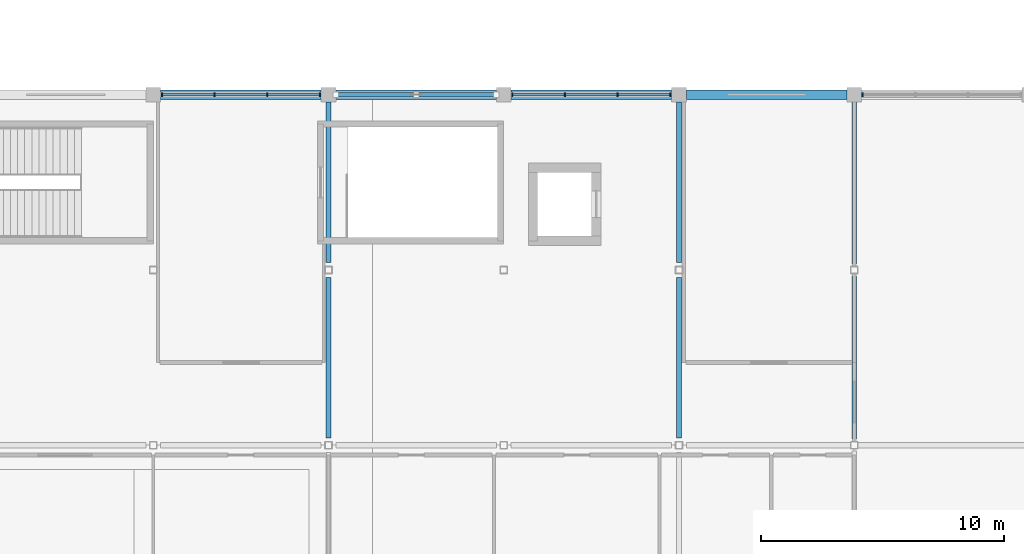
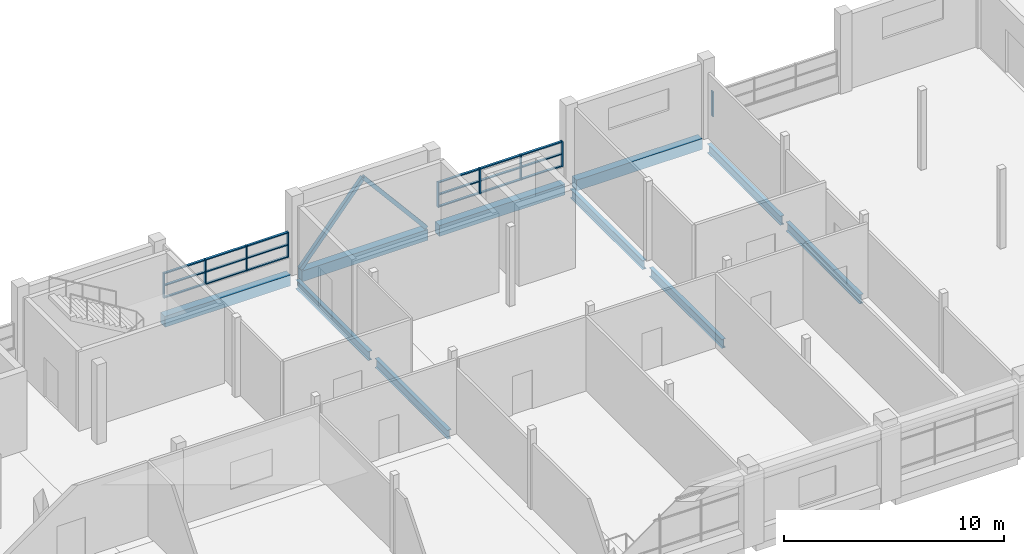
# One storey, part 20 of 71: 29 members, 10 beams, 3 elements without a shape of their own.
"""IFC4 building model written with IfcOpenShell, lengths in metres."""

import ifcopenshell
import ifcopenshell.guid

model = None  # the IFC model being written
_history = None  # IfcOwnerHistory: only IFC2X3 demands one
_inside = {}  # id of a spatial element -> (the spatial element, [elements in it])
_under = {}  # id of a project, library or spatial element -> (it, [spatial elements below it])
_declared = {}  # id of a project -> (the project, [libraries it declares])
_typed = {}  # id of a type object -> (the type object, [elements of that type])
_made_of = {}  # id of a material, layer set ... -> (it, [elements and type objects made of it])


def new_model(schema):
    """Start an empty IFC model of exactly this schema.

    Asked for "IFC4X3", IfcOpenShell would pick the latest addendum, in which some entities
    have other attributes; the version numbers below select the first issue.
    IFC2X3 requires an IfcOwnerHistory on every rooted entity: one is made here for all.
    """
    global model, _history
    if schema == "IFC4X3":
        model = ifcopenshell.file(schema_version=(4, 3, 0, 0))
    else:
        model = ifcopenshell.file(schema=schema)
    _inside.clear()
    _under.clear()
    _declared.clear()
    _typed.clear()
    _made_of.clear()
    _history = None
    if model.schema == "IFC2X3":
        org = make("IfcOrganization", Name="unknown")
        user = make(
            "IfcPersonAndOrganization",
            ThePerson=make("IfcPerson", FamilyName="unknown"),
            TheOrganization=org,
        )
        app = make(
            "IfcApplication",
            ApplicationDeveloper=org,
            Version="unknown",
            ApplicationFullName="unknown",
            ApplicationIdentifier="unknown",
        )
        _history = make(
            "IfcOwnerHistory",
            OwningUser=user,
            OwningApplication=app,
            ChangeAction="ADDED",
            CreationDate=0,
        )
    return model


def make(cls, **values):
    """One entity of the class cls with the attributes given. An attribute that is None is left unset."""
    return model.create_entity(
        cls, **{name: value for name, value in values.items() if value is not None}
    )


def rooted(cls, **values):
    """An entity with a GlobalId (a new one), such as an element, a storey or a relation."""
    return make(cls, GlobalId=ifcopenshell.guid.new(), OwnerHistory=_history, **values)


def si_unit(unit_type, name, prefix=None):
    """IfcSIUnit, for example si_unit("LENGTHUNIT", "METRE", prefix="MILLI")."""
    return make("IfcSIUnit", UnitType=unit_type, Prefix=prefix, Name=name)


def assignment(units):
    """IfcUnitAssignment: the units of a project."""
    return None if units is None else make("IfcUnitAssignment", Units=units)


def point(xyz):
    """IfcCartesianPoint."""
    return None if xyz is None else make("IfcCartesianPoint", Coordinates=xyz)


def direction(xyz):
    """IfcDirection."""
    return None if xyz is None else make("IfcDirection", DirectionRatios=xyz)


def frame(location, z_axis=None, x_axis=None):
    """IfcAxis2Placement3D, a coordinate frame: its origin and axes. An axis left out is left unset."""
    return make(
        "IfcAxis2Placement3D",
        Location=point(location),
        Axis=direction(z_axis),
        RefDirection=direction(x_axis),
    )


def frame_2d(location, x_axis=None):
    """IfcAxis2Placement2D, a coordinate frame in the plane: its origin and x axis."""
    return make(
        "IfcAxis2Placement2D", Location=point(location), RefDirection=direction(x_axis)
    )


def origin():
    """The frame at (0, 0, 0) with its axes left unset."""
    return frame((0.0, 0.0, 0.0))


def origin_2d():
    """The frame at (0, 0) in the plane with its x axis left unset."""
    return frame_2d((0.0, 0.0))


def place(relative_to, where):
    """IfcLocalPlacement: puts the frame where relative to a parent placement (None: the world)."""
    return make(
        "IfcLocalPlacement", PlacementRelTo=relative_to, RelativePlacement=where
    )


def context(
    kind, dimensions, precision=None, world=None, true_north=None, identifier=None
):
    """IfcGeometricRepresentationContext, for example the 3D "Model" context."""
    return make(
        "IfcGeometricRepresentationContext",
        ContextIdentifier=identifier,
        ContextType=kind,
        CoordinateSpaceDimension=dimensions,
        Precision=precision,
        WorldCoordinateSystem=world,
        TrueNorth=true_north,
    )


def subcontext(parent, identifier, kind, view, scale=None):
    """IfcGeometricRepresentationSubContext, for example "Body" below "Model"."""
    return make(
        "IfcGeometricRepresentationSubContext",
        ContextIdentifier=identifier,
        ContextType=kind,
        ParentContext=parent,
        TargetScale=scale,
        TargetView=view,
    )


def project(units=None, contexts=None):
    """IfcProject with its units and contexts."""
    return rooted(
        "IfcProject",
        Name="project",
        RepresentationContexts=contexts,
        UnitsInContext=assignment(units),
    )


def spatial(cls, under=None, at=None, **own):
    """A site, building, storey or space (cls), placed at a placement, below another one or the project."""
    s = rooted(cls, ObjectPlacement=at, **own)
    if under is not None:
        _under.setdefault(under.id(), (under, []))[1].append(s)
    return s


def profile(cls, at=None, kind="AREA", **sizes):
    """A parametric profile (cls). Its sizes go by their IFC names, for example OverallWidth=200.0."""
    return make(cls, ProfileType=kind, Position=at, **sizes)


def rectangle(**sizes):
    """IfcRectangleProfileDef."""
    return profile("IfcRectangleProfileDef", **sizes)


def hollow_rectangle(**sizes):
    """IfcRectangleHollowProfileDef."""
    return profile("IfcRectangleHollowProfileDef", **sizes)


def i_section(**sizes):
    """IfcIShapeProfileDef."""
    return profile("IfcIShapeProfileDef", **sizes)


def extrude(swept, where, along, depth):
    """IfcExtrudedAreaSolid: the profile swept, set in the frame where, extruded along a direction by depth."""
    return make(
        "IfcExtrudedAreaSolid",
        SweptArea=swept,
        Position=where,
        ExtrudedDirection=direction(along),
        Depth=depth,
    )


def shape(context_of_items, identifier, shape_type, items):
    """IfcShapeRepresentation: the items that make up one representation, for example the "Body"."""
    return make(
        "IfcShapeRepresentation",
        ContextOfItems=context_of_items,
        RepresentationIdentifier=identifier,
        RepresentationType=shape_type,
        Items=items,
    )


def material(Name=None, Category=None):
    """IfcMaterial."""
    return make("IfcMaterial", Name=Name, Category=Category)


def material_profile(
    of_material, cross_section, Name=None, Category=None, Priority=None
):
    """IfcMaterialProfile: a cross section and its material."""
    return make(
        "IfcMaterialProfile",
        Name=Name,
        Material=of_material,
        Profile=cross_section,
        Priority=Priority,
        Category=Category,
    )


def profile_set(profiles, Name=None, composite=None):
    """IfcMaterialProfileSet."""
    return make(
        "IfcMaterialProfileSet",
        Name=Name,
        MaterialProfiles=profiles,
        CompositeProfile=composite,
    )


def made_of(thing, what):
    """Note that an element or type object is made of a material, layer set ...; save() writes the relation."""
    if what is not None:
        _made_of.setdefault(what.id(), (what, []))[1].append(thing)
    return thing


def type_object(cls, material=None, **own):
    """A type object (cls), such as IfcWallType, which elements share."""
    return made_of(rooted(cls, **own), material)


def element(
    cls,
    number,
    at=None,
    inside=None,
    cuts=None,
    type_object=None,
    material=None,
    context=None,
    identifier="Body",
    shape_type=None,
    held_by="IfcProductDefinitionShape",
    body=None,
    shapes=None,
    **own,
):
    """One element of the class cls, such as IfcWall. Its Tag is "e" and its number.

    at: its placement. inside: the storey or other place that contains it. cuts: it is an
    opening in that element (IfcRelVoidsElement). A single representation is given by context,
    identifier, shape_type and body (its items); several are given by shapes. held_by: the class
    of the entity that holds the representations. save() writes the other relations.
    """
    e = rooted(cls, Tag="e%d" % number, ObjectPlacement=at, **own)
    if body is not None:
        shapes = [shape(context, identifier, shape_type, body)]
    if shapes is not None:
        e.Representation = make(held_by, Representations=shapes)
    if inside is not None:
        _inside.setdefault(inside.id(), (inside, []))[1].append(e)
    if cuts is not None:
        rooted(
            "IfcRelVoidsElement", RelatingBuildingElement=cuts, RelatedOpeningElement=e
        )
    if type_object is not None:
        _typed.setdefault(type_object.id(), (type_object, []))[1].append(e)
    return made_of(e, material)


def aggregate(whole, parts):
    """IfcRelAggregates: a whole, such as a stair, and the parts it consists of."""
    return rooted("IfcRelAggregates", RelatingObject=whole, RelatedObjects=parts)


def save(model, path):
    """Write the relations noted so far, then the file.

    IfcRelAggregates (storeys below a building ...), IfcRelContainedInSpatialStructure (elements
    in a storey), IfcRelDefinesByType, IfcRelAssociatesMaterial and IfcRelDeclares: one each for
    every whole, place, type object, material and project.
    """
    for whole, parts in _under.values():
        aggregate(whole, parts)
    for where, things in _inside.values():
        rooted(
            "IfcRelContainedInSpatialStructure",
            RelatedElements=things,
            RelatingStructure=where,
        )
    for kind, things in _typed.values():
        rooted("IfcRelDefinesByType", RelatedObjects=things, RelatingType=kind)
    for what, things in _made_of.values():
        rooted("IfcRelAssociatesMaterial", RelatedObjects=things, RelatingMaterial=what)
    for by, libraries in _declared.values():
        rooted("IfcRelDeclares", RelatingContext=by, RelatedDefinitions=libraries)
    model.write(path)


model = new_model("IFC4")

# Units and contexts
model_context = context("Model", 3, precision=1e-05, world=origin(), true_north=direction((0.0, 1.0)))
body_context = subcontext(model_context, "Body", "Model", "MODEL_VIEW")
ifc_project = project(units=[si_unit("LENGTHUNIT", "METRE"), si_unit("AREAUNIT", "SQUARE_METRE"), si_unit("VOLUMEUNIT", "CUBIC_METRE"), si_unit("PLANEANGLEUNIT", "RADIAN"), si_unit("MASSUNIT", "GRAM", prefix="KILO")], contexts=[model_context])

# Site, building, storey
site_placement = place(None, origin())
site = spatial("IfcSite", under=ifc_project, at=site_placement, CompositionType="ELEMENT")
building_placement = place(site_placement, origin())
building = spatial("IfcBuilding", under=site, at=building_placement, Name="Sardonyx Promenade Sports Hall", CompositionType="ELEMENT")
storey_placement = place(building_placement, frame((0.0, 0.0, 16.0)))
storey = spatial("IfcBuildingStorey", under=building, at=storey_placement, Name="L03", CompositionType="ELEMENT", Elevation=16.0)

# Beams
ifc_material_1 = material(Name="Steel S355JR", Category="steel")
ifc_material_profile_1 = material_profile(ifc_material_1, i_section(OverallWidth=0.199951171875, OverallDepth=0.5, WebThickness=0.01025390625, FlangeThickness=0.01611328125, at=origin_2d()))
ifc_profile_set_1 = profile_set([ifc_material_profile_1], Name="Steel S355JR")
beam_type_1 = type_object("IfcBeamType", Name="Bm_Primary_IPE500", PredefinedType="BEAM", material=ifc_profile_set_1)
for number, where, z_axis, x_axis, name in (
    (1, (72.0, 14.699951171875, -0.52001953125), (0.0, 1.0, 0.0), (-1.0, 0.0, 0.0), "Beam SB06 L03 #851"),
    (2, (72.0, 21.89990234375, -0.52001953125), (0.0, 1.0, 0.0), (-1.0, 0.0, 0.0), "Beam SB06 L03 #852"),
    (3, (86.39990234375, 14.699951171875, -0.52001953125), (0.0, 1.0, 0.0), (-1.0, 0.0, 0.0), "Beam SB06 L03 #859"),
    (4, (86.39990234375, 21.89990234375, -0.52001953125), (0.0, 1.0, 0.0), (-1.0, 0.0, 0.0), "Beam SB06 L03 #860"),
):
    element("IfcBeam", number, at=place(storey_placement, frame(where, z_axis=z_axis, x_axis=x_axis)), inside=storey, type_object=beam_type_1, Name=name, PredefinedType="BEAM", context=body_context, shape_type="SweptSolid", body=[
        extrude(i_section(OverallWidth=0.199951171875, OverallDepth=0.5, WebThickness=0.01025390625, FlangeThickness=0.01611328125, at=origin_2d()), origin(), (0.0, 0.0, 1.0), 6.60009765625),
    ])
beam_1_placement = place(storey_placement, frame((93.60009765625, 14.64501953125, -0.5400390625), z_axis=(0.0, 1.0, 0.0), x_axis=(-1.0, 0.0, 0.0)))
element("IfcBeam", 5, at=beam_1_placement, inside=storey, type_object=beam_type_1, Name="Beam SB06 L03 #863", PredefinedType="BEAM", context=body_context, shape_type="SweptSolid", body=[
    extrude(i_section(OverallWidth=0.199951171875, OverallDepth=0.5, WebThickness=0.01025390625, FlangeThickness=0.01611328125, at=origin_2d()), origin(), (0.0, 0.0, 1.0), 6.7099609375),
])
beam_2_placement = place(storey_placement, frame((93.60009765625, 21.844970703125, -0.5400390625), z_axis=(0.0, 1.0, 0.0), x_axis=(-1.0, 0.0, 0.0)))
element("IfcBeam", 6, at=beam_2_placement, inside=storey, type_object=beam_type_1, Name="Beam SB06 L03 #864", PredefinedType="BEAM", context=body_context, shape_type="SweptSolid", body=[
    extrude(i_section(OverallWidth=0.199951171875, OverallDepth=0.5, WebThickness=0.01025390625, FlangeThickness=0.01611328125, at=origin_2d()), origin(), (0.0, 0.0, 1.0), 6.655029296875),
])
ifc_material_2 = material(Name="Concrete C40/50", Category="concrete")
ifc_material_profile_2 = material_profile(ifc_material_2, rectangle(XDim=0.39990234375, YDim=0.60009765625, at=origin_2d()))
ifc_profile_set_2 = profile_set([ifc_material_profile_2], Name="Concrete C40/50")
beam_type_2 = type_object("IfcBeamType", Name="Bm_Spandrel_RC600", PredefinedType="SPANDREL", material=ifc_profile_set_2)
for number, where, z_axis, x_axis, name in (
    (7, (65.10009765625, 28.800048828125, -0.300048828125), (1.0, 0.0, 0.0), (0.0, 1.0, 0.0), "Beam SPB1 L03 #761"),
    (8, (72.300048828125, 28.800048828125, -0.300048828125), (1.0, 0.0, 0.0), (0.0, 1.0, 0.0), "Beam SPB1 L03 #762"),
):
    element("IfcBeam", number, at=place(storey_placement, frame(where, z_axis=z_axis, x_axis=x_axis)), inside=storey, type_object=beam_type_2, Name=name, PredefinedType="SPANDREL", context=body_context, shape_type="SweptSolid", body=[
        extrude(rectangle(XDim=0.39990234375, YDim=0.60009765625, at=origin_2d()), origin(), (0.0, 0.0, 1.0), 6.599853515625),
    ])
for number, where, z_axis, x_axis, name in (
    (9, (79.5, 28.800048828125, -0.300048828125), (1.0, 0.0, 0.0), (0.0, 1.0, 0.0), "Beam SPB1 L03 #763"),
    (10, (86.699951171875, 28.800048828125, -0.300048828125), (1.0, 0.0, 0.0), (0.0, 1.0, 0.0), "Beam SPB1 L03 #764"),
):
    element("IfcBeam", number, at=place(storey_placement, frame(where, z_axis=z_axis, x_axis=x_axis)), inside=storey, type_object=beam_type_2, Name=name, PredefinedType="SPANDREL", context=body_context, shape_type="SweptSolid", body=[
        extrude(rectangle(XDim=0.39990234375, YDim=0.60009765625, at=origin_2d()), origin(), (0.0, 0.0, 1.0), 6.60009765625),
    ])

# Curtain wall, members
ifc_material_3 = material(Name="Aluminium 6063-T6", Category="aluminium")
curtain_wall_type = type_object("IfcCurtainWallType", Name="CW_Spandrel_Band", PredefinedType="USERDEFINED", material=ifc_material_3)
curtain_wall_1_placement = place(storey_placement, origin())
curtain_wall_1 = element("IfcCurtainWall", 11, at=curtain_wall_1_placement, inside=storey, type_object=curtain_wall_type, Name="Curtain wall CW16 cw:L03:165", ObjectType="CURTAIN WALL", PredefinedType="USERDEFINED")
ifc_material_4 = material(Name="Aluminium 6063-T6", Category="aluminium")
ifc_material_profile_3 = material_profile(ifc_material_4, rectangle(XDim=0.06005859375, YDim=0.14990234375, at=origin_2d()))
ifc_profile_set_3 = profile_set([ifc_material_profile_3], Name="Aluminium 6063-T6")
member_type_1 = type_object("IfcMemberType", Name="CW_Mull_150", PredefinedType="MULLION", material=ifc_profile_set_3)
member_1_placement = place(storey_placement, frame((65.14990234375, 28.800048828125, 0.89990234375), z_axis=(0.0, 0.0, 1.0), x_axis=(1.0, 0.0, 0.0)))
member_1 = element("IfcMember", 12, at=member_1_placement, type_object=member_type_1, Name="Mullion CM01 cw:L03:165 #1", PredefinedType="MULLION", context=body_context, shape_type="SweptSolid", body=[
    extrude(rectangle(XDim=0.06005859375, YDim=0.14990234375, at=origin_2d()), origin(), (0.0, 0.0, 1.0), 1.400146484375),
])
member_2_placement = place(storey_placement, frame((67.316650390625, 28.800048828125, 0.89990234375), z_axis=(0.0, 0.0, 1.0), x_axis=(1.0, 0.0, 0.0)))
member_2 = element("IfcMember", 13, at=member_2_placement, type_object=member_type_1, Name="Mullion CM01 cw:L03:165 #2", PredefinedType="MULLION", context=body_context, shape_type="SweptSolid", body=[
    extrude(rectangle(XDim=0.06005859375, YDim=0.14990234375, at=origin_2d()), origin(), (0.0, 0.0, 1.0), 1.400146484375),
])
member_3_placement = place(storey_placement, frame((69.4833984375, 28.800048828125, 0.89990234375), z_axis=(0.0, 0.0, 1.0), x_axis=(1.0, 0.0, 0.0)))
member_3 = element("IfcMember", 14, at=member_3_placement, type_object=member_type_1, Name="Mullion CM01 cw:L03:165 #3", PredefinedType="MULLION", context=body_context, shape_type="SweptSolid", body=[
    extrude(rectangle(XDim=0.06005859375, YDim=0.14990234375, at=origin_2d()), origin(), (0.0, 0.0, 1.0), 1.400146484375),
])
member_4_placement = place(storey_placement, frame((71.64990234375, 28.800048828125, 0.89990234375), z_axis=(0.0, 0.0, 1.0), x_axis=(1.0, 0.0, 0.0)))
member_4 = element("IfcMember", 15, at=member_4_placement, type_object=member_type_1, Name="Mullion CM01 cw:L03:165 #4", PredefinedType="MULLION", context=body_context, shape_type="SweptSolid", body=[
    extrude(rectangle(XDim=0.06005859375, YDim=0.14990234375, at=origin_2d()), origin(), (0.0, 0.0, 1.0), 1.400146484375),
])

curtain_wall_2_placement = place(storey_placement, origin())
curtain_wall_2 = element("IfcCurtainWall", 16, at=curtain_wall_2_placement, inside=storey, type_object=curtain_wall_type, Name="Curtain wall CW16 cw:L03:166", ObjectType="CURTAIN WALL", PredefinedType="USERDEFINED")
member_5_placement = place(storey_placement, frame((79.550048828125, 28.800048828125, 0.89990234375), z_axis=(0.0, 0.0, 1.0), x_axis=(1.0, 0.0, 0.0)))
member_5 = element("IfcMember", 17, at=member_5_placement, type_object=member_type_1, Name="Mullion CM01 cw:L03:166 #1", PredefinedType="MULLION", context=body_context, shape_type="SweptSolid", body=[
    extrude(rectangle(XDim=0.06005859375, YDim=0.14990234375, at=origin_2d()), origin(), (0.0, 0.0, 1.0), 1.400146484375),
])
member_6_placement = place(storey_placement, frame((81.716552734375, 28.800048828125, 0.89990234375), z_axis=(0.0, 0.0, 1.0), x_axis=(1.0, 0.0, 0.0)))
member_6 = element("IfcMember", 18, at=member_6_placement, type_object=member_type_1, Name="Mullion CM01 cw:L03:166 #2", PredefinedType="MULLION", context=body_context, shape_type="SweptSolid", body=[
    extrude(rectangle(XDim=0.06005859375, YDim=0.14990234375, at=origin_2d()), origin(), (0.0, 0.0, 1.0), 1.400146484375),
])
member_7_placement = place(storey_placement, frame((83.88330078125, 28.800048828125, 0.89990234375), z_axis=(0.0, 0.0, 1.0), x_axis=(1.0, 0.0, 0.0)))
member_7 = element("IfcMember", 19, at=member_7_placement, type_object=member_type_1, Name="Mullion CM01 cw:L03:166 #3", PredefinedType="MULLION", context=body_context, shape_type="SweptSolid", body=[
    extrude(rectangle(XDim=0.06005859375, YDim=0.14990234375, at=origin_2d()), origin(), (0.0, 0.0, 1.0), 1.400146484375),
])
member_8_placement = place(storey_placement, frame((86.050048828125, 28.800048828125, 0.89990234375), z_axis=(0.0, 0.0, 1.0), x_axis=(1.0, 0.0, 0.0)))
member_8 = element("IfcMember", 20, at=member_8_placement, type_object=member_type_1, Name="Mullion CM01 cw:L03:166 #4", PredefinedType="MULLION", context=body_context, shape_type="SweptSolid", body=[
    extrude(rectangle(XDim=0.06005859375, YDim=0.14990234375, at=origin_2d()), origin(), (0.0, 0.0, 1.0), 1.400146484375),
])

# Curtain wall, member
curtain_wall_3_placement = place(storey_placement, origin())
curtain_wall_3 = element("IfcCurtainWall", 21, at=curtain_wall_3_placement, inside=storey, type_object=curtain_wall_type, Name="Curtain wall CW16 cw:L03:167", ObjectType="CURTAIN WALL", PredefinedType="USERDEFINED")
member_9_placement = place(storey_placement, frame((93.949951171875, 28.800048828125, 0.89990234375), z_axis=(0.0, 0.0, 1.0), x_axis=(1.0, 0.0, 0.0)))
member_9 = element("IfcMember", 22, at=member_9_placement, type_object=member_type_1, Name="Mullion CM01 cw:L03:167 #1", PredefinedType="MULLION", context=body_context, shape_type="SweptSolid", body=[
    extrude(rectangle(XDim=0.06005859375, YDim=0.14990234375, at=origin_2d()), origin(), (0.0, 0.0, 1.0), 1.400146484375),
])
aggregate(curtain_wall_3, [member_9])

# Member
ifc_material_5 = material(Name="Aluminium 6063-T6", Category="aluminium")
ifc_material_profile_4 = material_profile(ifc_material_5, rectangle(XDim=0.06005859375, YDim=0.1201171875, at=origin_2d()))
ifc_profile_set_4 = profile_set([ifc_material_profile_4], Name="Aluminium 6063-T6")
member_type_2 = type_object("IfcMemberType", Name="CW_Tran_120", PredefinedType="USERDEFINED", material=ifc_profile_set_4)
member_10_placement = place(storey_placement, frame((65.179931640625, 28.800048828125, 0.929931640625), z_axis=(1.0, 0.0, 0.0), x_axis=(0.0, 0.0, 1.0)))
member_10 = element("IfcMember", 23, at=member_10_placement, type_object=member_type_2, Name="Transom CT01 cw:L03:165 #1", ObjectType="TRANSOM", PredefinedType="USERDEFINED", context=body_context, shape_type="SweptSolid", body=[
    extrude(rectangle(XDim=0.06005859375, YDim=0.1201171875, at=origin_2d()), origin(), (0.0, 0.0, 1.0), 2.106689453125),
])

member_11_placement = place(storey_placement, frame((65.179931640625, 28.800048828125, 1.60009765625), z_axis=(1.0, 0.0, 0.0), x_axis=(0.0, 0.0, 1.0)))
member_11 = element("IfcMember", 24, at=member_11_placement, type_object=member_type_2, Name="Transom CT01 cw:L03:165 #2", ObjectType="TRANSOM", PredefinedType="USERDEFINED", context=body_context, shape_type="SweptSolid", body=[
    extrude(rectangle(XDim=0.06005859375, YDim=0.1201171875, at=origin_2d()), origin(), (0.0, 0.0, 1.0), 2.106689453125),
])

member_12_placement = place(storey_placement, frame((65.179931640625, 28.800048828125, 2.27001953125), z_axis=(1.0, 0.0, 0.0), x_axis=(0.0, 0.0, 1.0)))
member_12 = element("IfcMember", 25, at=member_12_placement, type_object=member_type_2, Name="Transom CT01 cw:L03:165 #3", ObjectType="TRANSOM", PredefinedType="USERDEFINED", context=body_context, shape_type="SweptSolid", body=[
    extrude(rectangle(XDim=0.06005859375, YDim=0.1201171875, at=origin_2d()), origin(), (0.0, 0.0, 1.0), 2.106689453125),
])

member_13_placement = place(storey_placement, frame((67.3466796875, 28.800048828125, 0.929931640625), z_axis=(1.0, 0.0, 0.0), x_axis=(0.0, 0.0, 1.0)))
member_13 = element("IfcMember", 26, at=member_13_placement, type_object=member_type_2, Name="Transom CT01 cw:L03:165 #4", ObjectType="TRANSOM", PredefinedType="USERDEFINED", context=body_context, shape_type="SweptSolid", body=[
    extrude(rectangle(XDim=0.06005859375, YDim=0.1201171875, at=origin_2d()), origin(), (0.0, 0.0, 1.0), 2.106689453125),
])

member_14_placement = place(storey_placement, frame((67.3466796875, 28.800048828125, 1.60009765625), z_axis=(1.0, 0.0, 0.0), x_axis=(0.0, 0.0, 1.0)))
member_14 = element("IfcMember", 27, at=member_14_placement, type_object=member_type_2, Name="Transom CT01 cw:L03:165 #5", ObjectType="TRANSOM", PredefinedType="USERDEFINED", context=body_context, shape_type="SweptSolid", body=[
    extrude(rectangle(XDim=0.06005859375, YDim=0.1201171875, at=origin_2d()), origin(), (0.0, 0.0, 1.0), 2.106689453125),
])

member_15_placement = place(storey_placement, frame((67.3466796875, 28.800048828125, 2.27001953125), z_axis=(1.0, 0.0, 0.0), x_axis=(0.0, 0.0, 1.0)))
member_15 = element("IfcMember", 28, at=member_15_placement, type_object=member_type_2, Name="Transom CT01 cw:L03:165 #6", ObjectType="TRANSOM", PredefinedType="USERDEFINED", context=body_context, shape_type="SweptSolid", body=[
    extrude(rectangle(XDim=0.06005859375, YDim=0.1201171875, at=origin_2d()), origin(), (0.0, 0.0, 1.0), 2.106689453125),
])

member_16_placement = place(storey_placement, frame((69.513427734375, 28.800048828125, 0.929931640625), z_axis=(1.0, 0.0, 0.0), x_axis=(0.0, 0.0, 1.0)))
member_16 = element("IfcMember", 29, at=member_16_placement, type_object=member_type_2, Name="Transom CT01 cw:L03:165 #7", ObjectType="TRANSOM", PredefinedType="USERDEFINED", context=body_context, shape_type="SweptSolid", body=[
    extrude(rectangle(XDim=0.06005859375, YDim=0.1201171875, at=origin_2d()), origin(), (0.0, 0.0, 1.0), 2.106689453125),
])

member_17_placement = place(storey_placement, frame((69.513427734375, 28.800048828125, 1.60009765625), z_axis=(1.0, 0.0, 0.0), x_axis=(0.0, 0.0, 1.0)))
member_17 = element("IfcMember", 30, at=member_17_placement, type_object=member_type_2, Name="Transom CT01 cw:L03:165 #8", ObjectType="TRANSOM", PredefinedType="USERDEFINED", context=body_context, shape_type="SweptSolid", body=[
    extrude(rectangle(XDim=0.06005859375, YDim=0.1201171875, at=origin_2d()), origin(), (0.0, 0.0, 1.0), 2.106689453125),
])

member_18_placement = place(storey_placement, frame((69.513427734375, 28.800048828125, 2.27001953125), z_axis=(1.0, 0.0, 0.0), x_axis=(0.0, 0.0, 1.0)))
member_18 = element("IfcMember", 31, at=member_18_placement, type_object=member_type_2, Name="Transom CT01 cw:L03:165 #9", ObjectType="TRANSOM", PredefinedType="USERDEFINED", context=body_context, shape_type="SweptSolid", body=[
    extrude(rectangle(XDim=0.06005859375, YDim=0.1201171875, at=origin_2d()), origin(), (0.0, 0.0, 1.0), 2.106689453125),
])

aggregate(curtain_wall_1, [member_1, member_2, member_3, member_4, member_10, member_11, member_12, member_13, member_14, member_15, member_16, member_17, member_18])

member_19_placement = place(storey_placement, frame((79.580078125, 28.800048828125, 0.929931640625), z_axis=(1.0, 0.0, 0.0), x_axis=(0.0, 0.0, 1.0)))
member_19 = element("IfcMember", 32, at=member_19_placement, type_object=member_type_2, Name="Transom CT01 cw:L03:166 #1", ObjectType="TRANSOM", PredefinedType="USERDEFINED", context=body_context, shape_type="SweptSolid", body=[
    extrude(rectangle(XDim=0.06005859375, YDim=0.1201171875, at=origin_2d()), origin(), (0.0, 0.0, 1.0), 2.106689453125),
])

member_20_placement = place(storey_placement, frame((79.580078125, 28.800048828125, 1.60009765625), z_axis=(1.0, 0.0, 0.0), x_axis=(0.0, 0.0, 1.0)))
member_20 = element("IfcMember", 33, at=member_20_placement, type_object=member_type_2, Name="Transom CT01 cw:L03:166 #2", ObjectType="TRANSOM", PredefinedType="USERDEFINED", context=body_context, shape_type="SweptSolid", body=[
    extrude(rectangle(XDim=0.06005859375, YDim=0.1201171875, at=origin_2d()), origin(), (0.0, 0.0, 1.0), 2.106689453125),
])

member_21_placement = place(storey_placement, frame((79.580078125, 28.800048828125, 2.27001953125), z_axis=(1.0, 0.0, 0.0), x_axis=(0.0, 0.0, 1.0)))
member_21 = element("IfcMember", 34, at=member_21_placement, type_object=member_type_2, Name="Transom CT01 cw:L03:166 #3", ObjectType="TRANSOM", PredefinedType="USERDEFINED", context=body_context, shape_type="SweptSolid", body=[
    extrude(rectangle(XDim=0.06005859375, YDim=0.1201171875, at=origin_2d()), origin(), (0.0, 0.0, 1.0), 2.106689453125),
])

member_22_placement = place(storey_placement, frame((81.74658203125, 28.800048828125, 0.929931640625), z_axis=(1.0, 0.0, 0.0), x_axis=(0.0, 0.0, 1.0)))
member_22 = element("IfcMember", 35, at=member_22_placement, type_object=member_type_2, Name="Transom CT01 cw:L03:166 #4", ObjectType="TRANSOM", PredefinedType="USERDEFINED", context=body_context, shape_type="SweptSolid", body=[
    extrude(rectangle(XDim=0.06005859375, YDim=0.1201171875, at=origin_2d()), origin(), (0.0, 0.0, 1.0), 2.106689453125),
])

member_23_placement = place(storey_placement, frame((81.74658203125, 28.800048828125, 1.60009765625), z_axis=(1.0, 0.0, 0.0), x_axis=(0.0, 0.0, 1.0)))
member_23 = element("IfcMember", 36, at=member_23_placement, type_object=member_type_2, Name="Transom CT01 cw:L03:166 #5", ObjectType="TRANSOM", PredefinedType="USERDEFINED", context=body_context, shape_type="SweptSolid", body=[
    extrude(rectangle(XDim=0.06005859375, YDim=0.1201171875, at=origin_2d()), origin(), (0.0, 0.0, 1.0), 2.106689453125),
])

member_24_placement = place(storey_placement, frame((81.74658203125, 28.800048828125, 2.27001953125), z_axis=(1.0, 0.0, 0.0), x_axis=(0.0, 0.0, 1.0)))
member_24 = element("IfcMember", 37, at=member_24_placement, type_object=member_type_2, Name="Transom CT01 cw:L03:166 #6", ObjectType="TRANSOM", PredefinedType="USERDEFINED", context=body_context, shape_type="SweptSolid", body=[
    extrude(rectangle(XDim=0.06005859375, YDim=0.1201171875, at=origin_2d()), origin(), (0.0, 0.0, 1.0), 2.106689453125),
])

member_25_placement = place(storey_placement, frame((83.913330078125, 28.800048828125, 0.929931640625), z_axis=(1.0, 0.0, 0.0), x_axis=(0.0, 0.0, 1.0)))
member_25 = element("IfcMember", 38, at=member_25_placement, type_object=member_type_2, Name="Transom CT01 cw:L03:166 #7", ObjectType="TRANSOM", PredefinedType="USERDEFINED", context=body_context, shape_type="SweptSolid", body=[
    extrude(rectangle(XDim=0.06005859375, YDim=0.1201171875, at=origin_2d()), origin(), (0.0, 0.0, 1.0), 2.106689453125),
])

member_26_placement = place(storey_placement, frame((83.913330078125, 28.800048828125, 1.60009765625), z_axis=(1.0, 0.0, 0.0), x_axis=(0.0, 0.0, 1.0)))
member_26 = element("IfcMember", 39, at=member_26_placement, type_object=member_type_2, Name="Transom CT01 cw:L03:166 #8", ObjectType="TRANSOM", PredefinedType="USERDEFINED", context=body_context, shape_type="SweptSolid", body=[
    extrude(rectangle(XDim=0.06005859375, YDim=0.1201171875, at=origin_2d()), origin(), (0.0, 0.0, 1.0), 2.106689453125),
])

member_27_placement = place(storey_placement, frame((83.913330078125, 28.800048828125, 2.27001953125), z_axis=(1.0, 0.0, 0.0), x_axis=(0.0, 0.0, 1.0)))
member_27 = element("IfcMember", 40, at=member_27_placement, type_object=member_type_2, Name="Transom CT01 cw:L03:166 #9", ObjectType="TRANSOM", PredefinedType="USERDEFINED", context=body_context, shape_type="SweptSolid", body=[
    extrude(rectangle(XDim=0.06005859375, YDim=0.1201171875, at=origin_2d()), origin(), (0.0, 0.0, 1.0), 2.106689453125),
])

aggregate(curtain_wall_2, [member_5, member_6, member_7, member_8, member_19, member_20, member_21, member_22, member_23, member_24, member_25, member_26, member_27])

# Members
ifc_material_6 = material(Name="Steel S355JR", Category="steel")
ifc_material_profile_5 = material_profile(ifc_material_6, hollow_rectangle(XDim=0.199951171875, YDim=0.199951171875, WallThickness=0.010009765625, at=origin_2d()))
ifc_profile_set_5 = profile_set([ifc_material_profile_5], Name="Steel S355JR")
member_type_3 = type_object("IfcMemberType", Name="Mbr_Brace_SHS200_Int", PredefinedType="BRACE", material=ifc_profile_set_5)
member_28_placement = place(storey_placement, frame((72.300048828125, 28.800048828125, 0.02001953125), z_axis=(0.64306711619, 0.0, 0.765809822394), x_axis=(0.0, 1.0, 0.0)))
element("IfcMember", 41, at=member_28_placement, inside=storey, type_object=member_type_3, Name="Chevron brace BR04 BF6 L03 leg 1", PredefinedType="BRACE", context=body_context, shape_type="SweptSolid", body=[
    extrude(hollow_rectangle(XDim=0.199951171875, YDim=0.199951171875, WallThickness=0.010009765625, at=origin_2d()), origin(), (0.0, 0.0, 1.0), 5.1318359375),
])
member_29_placement = place(storey_placement, frame((78.89990234375, 28.800048828125, 0.02001953125), z_axis=(-0.643039214032, 0.0, 0.765833251574), x_axis=(0.0, -1.0, 0.0)))
element("IfcMember", 42, at=member_29_placement, inside=storey, type_object=member_type_3, Name="Chevron brace BR04 BF6 L03 leg 2", PredefinedType="BRACE", context=body_context, shape_type="SweptSolid", body=[
    extrude(hollow_rectangle(XDim=0.199951171875, YDim=0.199951171875, WallThickness=0.010009765625, at=origin_2d()), origin(), (0.0, 0.0, 1.0), 5.131591796875),
])

save(model, "model.ifc")
